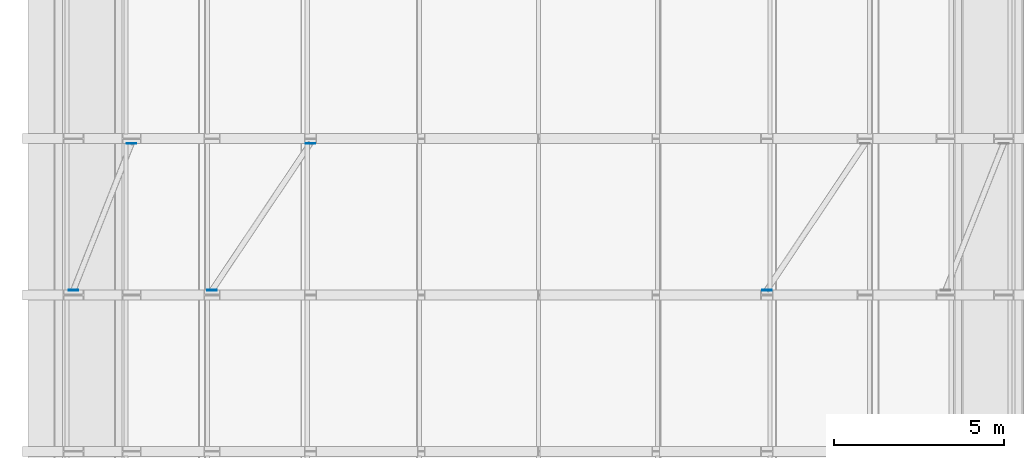
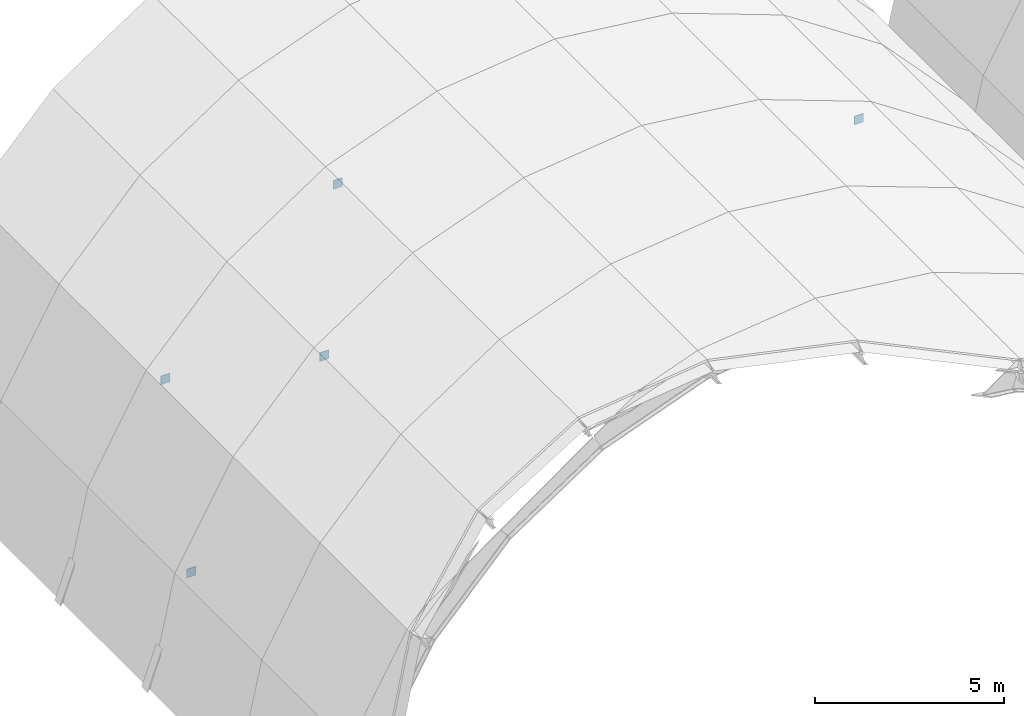
# One storey, part 29 of 47: 5 plates.
"""IFC4 building model written with IfcOpenShell, lengths in metres."""

from ifc_helpers import new_model, si_unit, direction, frame, origin, origin_2d, place, context, subcontext, project, spatial, rectangle, extrude, material, layer, layer_set, type_object, element, save


model = new_model("IFC4")

# Units and contexts
model_context = context("Model", 3, precision=1e-05, world=origin(), true_north=direction((0.0, 1.0)))
body_context = subcontext(model_context, "Body", "Model", "MODEL_VIEW")
ifc_project = project(units=[si_unit("LENGTHUNIT", "METRE"), si_unit("AREAUNIT", "SQUARE_METRE"), si_unit("VOLUMEUNIT", "CUBIC_METRE"), si_unit("PLANEANGLEUNIT", "RADIAN"), si_unit("MASSUNIT", "GRAM", prefix="KILO")], contexts=[model_context])

# Site, building, storey
site_placement = place(None, origin())
site = spatial("IfcSite", under=ifc_project, at=site_placement, CompositionType="ELEMENT")
building_placement = place(site_placement, origin())
building = spatial("IfcBuilding", under=site, at=building_placement, Name="Muzn Square Opera House", CompositionType="ELEMENT")
storey_placement = place(building_placement, frame((0.0, 0.0, 31.0)))
storey = spatial("IfcBuildingStorey", under=building, at=storey_placement, Name="RF-1", CompositionType="ELEMENT", Elevation=31.0)

# Plates
ifc_material = material(Name="Steel S355", Category="steel")
ifc_layer = layer(ifc_material, 0.01806640625, Name="Steel S355", Category="steel")
ifc_layer_set = layer_set([ifc_layer], Name="Steel S355")
plate_type = type_object("IfcPlateType", Name="Brace Cap Plate 18mm 280x280", PredefinedType="USERDEFINED", material=ifc_layer_set)
for number, where, z_axis, x_axis, name in (
    (1, (44.319580078125, 58.93994140625, -9.40185546875), (0.0, 0.0, 1.0), (1.0, 0.0, 0.0), "Vault Wind Brace End Cap Plate V1-08-04-A"),
    (2, (46.029296875, 63.260009765625, -6.37744140625), (0.0, 0.0, 1.0), (1.0, 0.0, 0.0), "Vault Wind Brace End Cap Plate V1-08-04-B"),
    (3, (48.3955078125, 58.93994140625, -3.83349609375), (0.0, 0.0, 1.0), (1.0, 0.0, 0.0), "Vault Wind Brace End Cap Plate V1-08-08-A"),
    (4, (51.28857421875, 63.260009765625, -1.90966796875), (0.0, 0.0, 1.0), (1.0, 0.0, 0.0), "Vault Wind Brace End Cap Plate V1-08-08-B"),
    (5, (64.71142578125, 58.93994140625, -1.90966796875), (0.0, 0.0, 1.0), (1.0, 0.0, 0.0), "Vault Wind Brace End Cap Plate V1-08-14-A"),
):
    element("IfcPlate", number, at=place(storey_placement, frame(where, z_axis=z_axis, x_axis=x_axis)), inside=storey, type_object=plate_type, Name=name, ObjectType="GUSSET PLATE", PredefinedType="USERDEFINED", context=body_context, shape_type="SweptSolid", body=[
        extrude(rectangle(XDim=0.280029296875, YDim=0.01806640625, at=origin_2d()), origin(), (0.0, 0.0, 1.0), 0.280029296875),
    ])

save(model, "model.ifc")
